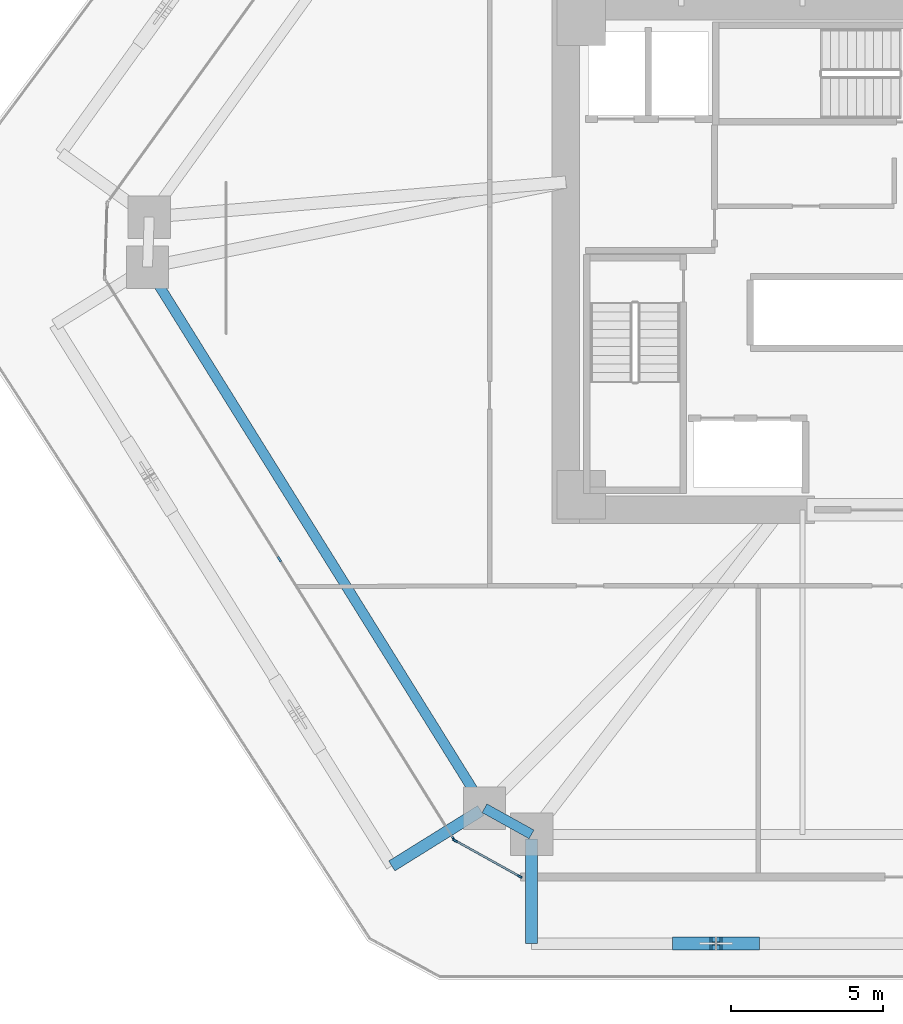
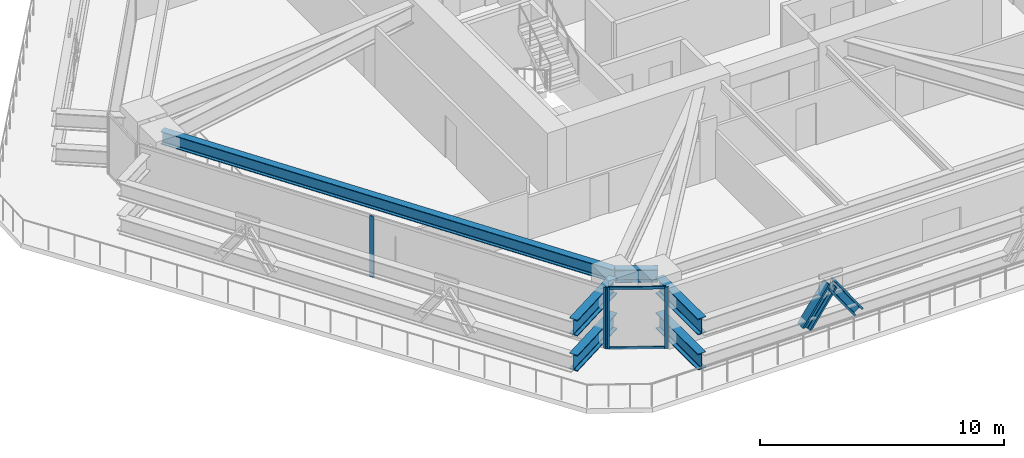
# One storey, part 2 of 20: 8 members, 6 beams, 2 elements without a shape of their own.
"""IFC4 building model written with IfcOpenShell, lengths in metres."""

from ifc_helpers import new_model, si_unit, direction, frame, origin, origin_2d, place, context, subcontext, project, spatial, rectangle, i_section, extrude, source, transform, mapped, material, layer, layer_set, material_profile, profile_set, type_object, type_shapes, element, aggregate, save


model = new_model("IFC4")

# Units and contexts
model_context = context("Model", 3, precision=1e-05, world=origin(), true_north=direction((0.0, 1.0)))
body_context = subcontext(model_context, "Body", "Model", "MODEL_VIEW")
ifc_project = project(units=[si_unit("LENGTHUNIT", "METRE"), si_unit("AREAUNIT", "SQUARE_METRE"), si_unit("VOLUMEUNIT", "CUBIC_METRE"), si_unit("PLANEANGLEUNIT", "RADIAN"), si_unit("MASSUNIT", "GRAM", prefix="KILO")], contexts=[model_context])

# Site, building, storey
site_placement = place(None, origin())
site = spatial("IfcSite", under=ifc_project, at=site_placement, CompositionType="ELEMENT")
building_placement = place(site_placement, origin())
building = spatial("IfcBuilding", under=site, at=building_placement, Name="Durnholm Broadcast Tower", CompositionType="ELEMENT")
storey_placement = place(building_placement, frame((0.0, 0.0, 32.39990234375)))
storey = spatial("IfcBuildingStorey", under=building, at=storey_placement, Name="L06", CompositionType="ELEMENT", Elevation=32.39990234375)

# Beams
ifc_material_1 = material(Name="Steel ASTM A992 Grade 50", Category="steel")
ifc_material_profile_1 = material_profile(ifc_material_1, i_section(OverallWidth=0.3291015625, OverallDepth=0.635009765625, WebThickness=0.017822265625, FlangeThickness=0.031005859375, FilletRadius=0.02783203125, at=origin_2d()), Name="W24X162")
ifc_profile_set_1 = profile_set([ifc_material_profile_1], Name="Steel ASTM A992 Grade 50")
beam_type_1 = type_object("IfcBeamType", Name="STL-SP-W24X162", PredefinedType="SPANDREL", material=ifc_profile_set_1)
shared_shape_1 = source(origin(), body_context, "Body", "SweptSolid", [
    extrude(i_section(OverallWidth=0.3291015625, OverallDepth=0.635009765625, WebThickness=0.017822265625, FlangeThickness=0.031005859375, FilletRadius=0.02783203125, at=origin_2d()), origin(), (0.0, 0.0, 1.0), 21.014404296875),
])
beam_1_placement = place(storey_placement, frame((-12.982666015625, -18.138427734375, 2.7275390625), z_axis=(-0.528595731543, 0.848873696491, 0.0), x_axis=(-0.848873696491, -0.528595731543, 0.0)))
element("IfcBeam", 1, at=beam_1_placement, inside=storey, type_object=beam_type_1, Name="L06 perimeter spandrel girder 01", PredefinedType="SPANDREL", context=body_context, shape_type="MappedRepresentation", body=[
    mapped(shared_shape_1, transform((0.0, 0.0, 0.0), x_axis=(1.0, 0.0, 0.0), y_axis=(0.0, 1.0, 0.0), z_axis=(0.0, 0.0, 1.0), scale=1.0)),
])
shared_shape_2 = source(origin(), body_context, "Body", "SweptSolid", [
    extrude(i_section(OverallWidth=0.3291015625, OverallDepth=0.635009765625, WebThickness=0.017822265625, FlangeThickness=0.031005859375, FilletRadius=0.02783203125, at=origin_2d()), origin(), (0.0, 0.0, 1.0), 1.774658203125),
])
type_shapes(beam_type_1, [shared_shape_1, shared_shape_2])
beam_2_placement = place(storey_placement, frame((-11.43115234375, -19.0, 2.7275390625), z_axis=(-0.874248107979, 0.485479397806, 0.0), x_axis=(-0.485479397806, -0.874248107979, 0.0)))
element("IfcBeam", 2, at=beam_2_placement, inside=storey, type_object=beam_type_1, Name="L06 perimeter spandrel girder 12", PredefinedType="SPANDREL", context=body_context, shape_type="MappedRepresentation", body=[
    mapped(shared_shape_2, transform((0.0, 0.0, 0.0), x_axis=(1.0, 0.0, 0.0), y_axis=(0.0, 1.0, 0.0), z_axis=(0.0, 0.0, 1.0), scale=1.0)),
])
ifc_material_profile_2 = material_profile(ifc_material_1, i_section(OverallWidth=0.385009765625, OverallDepth=0.802978515625, WebThickness=0.023681640625, FlangeThickness=0.0419921875, FilletRadius=0.032958984375, at=origin_2d()), Name="W30X261")
ifc_profile_set_2 = profile_set([ifc_material_profile_2], Name="Steel ASTM A992 Grade 50")
beam_type_2 = type_object("IfcBeamType", Name="BM-EXO-TIE", PredefinedType="USERDEFINED", material=ifc_profile_set_2)
shared_shape_3 = source(origin(), body_context, "Body", "SweptSolid", [
    extrude(i_section(OverallWidth=0.385009765625, OverallDepth=0.802978515625, WebThickness=0.023681640625, FlangeThickness=0.0419921875, FilletRadius=0.032958984375, at=origin_2d()), origin(), (0.0, 0.0, 1.0), 3.4560546875),
])
type_shapes(beam_type_2, [shared_shape_3])
for number, where, z_axis, x_axis, name in (
    (3, (-11.43115234375, -19.14404296875, 0.550048828125), (0.0, -1.0, 0.0), (1.0, 0.0, 0.0), "L06 zone-base exoskeleton stand-off tie bracket F1.1"),
    (4, (-11.43115234375, -19.14404296875, 2.30859375), (0.0, -1.0, 0.0), (1.0, 0.0, 0.0), "L06 exoskeleton stand-off tie bracket F1.1"),
    (5, (-13.10498046875, -18.214599609375, 0.550048828125), (-0.848854443891, -0.528626648105, 0.0), (0.528626648105, -0.848854443891, 0.0), "L06 zone-base exoskeleton stand-off tie bracket F6.2"),
    (6, (-13.10498046875, -18.214599609375, 2.30859375), (-0.848854443891, -0.528626648105, 0.0), (0.528626648105, -0.848854443891, 0.0), "L06 exoskeleton stand-off tie bracket F6.2"),
):
    element("IfcBeam", number, at=place(storey_placement, frame(where, z_axis=z_axis, x_axis=x_axis)), inside=storey, type_object=beam_type_2, Name=name, ObjectType="GIRDER", PredefinedType="USERDEFINED", context=body_context, shape_type="MappedRepresentation", body=[
        mapped(shared_shape_3, transform((0.0, 0.0, 0.0), x_axis=(1.0, 0.0, 0.0), y_axis=(0.0, 1.0, 0.0), z_axis=(0.0, 0.0, 1.0), scale=1.0)),
    ])

# Members
ifc_material_2 = material(Name="Steel ASTM A913 Grade 65", Category="steel")
ifc_material_profile_3 = material_profile(ifc_material_2, i_section(OverallWidth=0.43212890625, OverallDepth=0.497802734375, WebThickness=0.0556640625, FlangeThickness=0.0888671875, FilletRadius=0.030517578125, at=origin_2d()), Name="W14X500")
ifc_profile_set_3 = profile_set([ifc_material_profile_3], Name="Steel ASTM A913 Grade 65")
member_type_1 = type_object("IfcMemberType", Name="STL-DG-W14X500", PredefinedType="BRACE", material=ifc_profile_set_3)
shared_shape_4 = source(origin(), body_context, "Body", "SweptSolid", [
    extrude(i_section(OverallWidth=0.43212890625, OverallDepth=0.497802734375, WebThickness=0.0556640625, FlangeThickness=0.0888671875, FilletRadius=0.030517578125, at=origin_2d()), origin(), (0.0, 0.0, 1.0), 2.148193359375),
])
type_shapes(member_type_1, [shared_shape_4])
for number, where, z_axis, x_axis, name in (
    (7, (-6.585205078125, -22.60009765625, 0.550048828125), (0.574369639306, 0.0, 0.818596064884), (0.0, 1.0, 0.0), "L06 stand-off diagrid brace F1.D1.1"),
    (8, (-4.117431640625, -22.60009765625, 0.550048828125), (-0.574369639306, 0.0, 0.818596064884), (0.0, -1.0, 0.0), "L06 stand-off diagrid brace F1.D1.2"),
):
    element("IfcMember", number, at=place(storey_placement, frame(where, z_axis=z_axis, x_axis=x_axis)), inside=storey, type_object=member_type_1, Name=name, PredefinedType="BRACE", context=body_context, shape_type="MappedRepresentation", body=[
        mapped(shared_shape_4, transform((0.0, 0.0, 0.0), x_axis=(1.0, 0.0, 0.0), y_axis=(0.0, 1.0, 0.0), z_axis=(0.0, 0.0, 1.0), scale=1.0)),
    ])

# Curtain wall, members
ifc_material_3 = material(Name="Aluminium and Solar Control IGU", Category="aluminium")
ifc_layer_1 = layer(ifc_material_3, 0.1650390625)
ifc_layer_set_1 = layer_set([ifc_layer_1], Name="Aluminium and Solar Control IGU")
curtain_wall_type_1 = type_object("IfcCurtainWallType", Name="CW-SYS-5", PredefinedType="NOTDEFINED", material=ifc_layer_set_1)
curtain_wall_1_placement = place(storey_placement, origin())
curtain_wall_1 = element("IfcCurtainWall", 9, at=curtain_wall_1_placement, inside=storey, type_object=curtain_wall_type_1, Name="L06 curtain wall CW-CORNER CW-L06-CRN-11", PredefinedType="NOTDEFINED")
ifc_material_4 = material(Name="Aluminium 6063-T6", Category="aluminium")
ifc_material_profile_4 = material_profile(ifc_material_4, rectangle(XDim=0.06494140625, YDim=0.1650390625, at=origin_2d()), Name="CWM65X165")
ifc_profile_set_4 = profile_set([ifc_material_profile_4], Name="Aluminium 6063-T6")
member_type_2 = type_object("IfcMemberType", Name="CW-SYS-5-MUL", PredefinedType="MULLION", material=ifc_profile_set_4)
shared_shape_5 = source(origin(), body_context, "Body", "SweptSolid", [
    extrude(rectangle(XDim=0.06494140625, YDim=0.1650390625, at=origin_2d()), origin(), (0.0, 0.0, 1.0), 3.06005859375),
])
type_shapes(member_type_2, [shared_shape_5])
member_1_placement = place(storey_placement, frame((-11.822265625, -20.38427734375, 0.0), z_axis=(0.0, 0.0, 1.0), x_axis=(-0.485483299359, -0.874245941394, 0.0)))
member_1 = element("IfcMember", 10, at=member_1_placement, type_object=member_type_2, Name="CW-CORNER mullion 1", PredefinedType="MULLION", context=body_context, shape_type="MappedRepresentation", body=[
    mapped(shared_shape_5, transform((0.0, 0.0, 0.0), x_axis=(1.0, 0.0, 0.0), y_axis=(0.0, 1.0, 0.0), z_axis=(0.0, 0.0, 1.0), scale=1.0)),
])
member_2_placement = place(storey_placement, frame((-13.950927734375, -19.2021484375, 0.0), z_axis=(0.0, 0.0, 1.0), x_axis=(-0.485483299359, -0.874245941394, 0.0)))
member_2 = element("IfcMember", 11, at=member_2_placement, type_object=member_type_2, Name="CW-CORNER mullion 2", PredefinedType="MULLION", context=body_context, shape_type="MappedRepresentation", body=[
    mapped(shared_shape_5, transform((0.0, 0.0, 0.0), x_axis=(1.0, 0.0, 0.0), y_axis=(0.0, 1.0, 0.0), z_axis=(0.0, 0.0, 1.0), scale=1.0)),
])
ifc_material_profile_5 = material_profile(ifc_material_4, rectangle(XDim=0.06494140625, YDim=0.1298828125, at=origin_2d()), Name="CWT65X130")
ifc_profile_set_5 = profile_set([ifc_material_profile_5], Name="Aluminium 6063-T6")
member_type_3 = type_object("IfcMemberType", Name="CW-SYS-5-TRN", PredefinedType="USERDEFINED", material=ifc_profile_set_5)
shared_shape_6 = source(origin(), body_context, "Body", "SweptSolid", [
    extrude(rectangle(XDim=0.06494140625, YDim=0.1298828125, at=origin_2d()), origin(), (0.0, 0.0, 1.0), 2.3701171875),
])
type_shapes(member_type_3, [shared_shape_6])
member_3_placement = place(storey_placement, frame((-11.8505859375, -20.368408203125, 0.03271484375), z_axis=(-0.874244723151, 0.485485493132, 0.0), x_axis=(-0.485485493132, -0.874244723151, 0.0)))
member_3 = element("IfcMember", 12, at=member_3_placement, type_object=member_type_3, Name="CW-CORNER transom 1.1", ObjectType="TRANSOM", PredefinedType="USERDEFINED", context=body_context, shape_type="MappedRepresentation", body=[
    mapped(shared_shape_6, transform((0.0, 0.0, 0.0), x_axis=(1.0, 0.0, 0.0), y_axis=(0.0, 1.0, 0.0), z_axis=(0.0, 0.0, 1.0), scale=1.0)),
])
member_4_placement = place(storey_placement, frame((-11.8505859375, -20.368408203125, 3.027587890625), z_axis=(-0.874244723151, 0.485485493132, 0.0), x_axis=(-0.485485493132, -0.874244723151, 0.0)))
member_4 = element("IfcMember", 13, at=member_4_placement, type_object=member_type_3, Name="CW-CORNER transom 1.2", ObjectType="TRANSOM", PredefinedType="USERDEFINED", context=body_context, shape_type="MappedRepresentation", body=[
    mapped(shared_shape_6, transform((0.0, 0.0, 0.0), x_axis=(1.0, 0.0, 0.0), y_axis=(0.0, 1.0, 0.0), z_axis=(0.0, 0.0, 1.0), scale=1.0)),
])
aggregate(curtain_wall_1, [member_1, member_2, member_3, member_4])

ifc_layer_2 = layer(ifc_material_3, 0.18994140625)
ifc_layer_set_2 = layer_set([ifc_layer_2], Name="Aluminium and Solar Control IGU")
curtain_wall_type_2 = type_object("IfcCurtainWallType", Name="CW-SYS-3", PredefinedType="NOTDEFINED", material=ifc_layer_set_2)
curtain_wall_2_placement = place(storey_placement, origin())
curtain_wall_2 = element("IfcCurtainWall", 14, at=curtain_wall_2_placement, inside=storey, type_object=curtain_wall_type_2, Name="L06 curtain wall CW-Z12-VIS CW-L06-F12", PredefinedType="NOTDEFINED")
ifc_material_profile_6 = material_profile(ifc_material_4, rectangle(XDim=0.070068359375, YDim=0.18994140625, at=origin_2d()), Name="CWM70X190")
ifc_profile_set_6 = profile_set([ifc_material_profile_6], Name="Aluminium 6063-T6")
member_type_4 = type_object("IfcMemberType", Name="CW-SYS-3-MUL", PredefinedType="MULLION", material=ifc_profile_set_6)
shared_shape_7 = source(origin(), body_context, "Body", "SweptSolid", [
    extrude(rectangle(XDim=0.070068359375, YDim=0.18994140625, at=origin_2d()), origin(), (0.0, 0.0, 1.0), 3.06005859375),
])
type_shapes(member_type_4, [shared_shape_7])
member_5_placement = place(storey_placement, frame((-13.997802734375, -19.156494140625, 0.0), z_axis=(0.0, 0.0, 1.0), x_axis=(-0.848875785503, -0.528592376777, 0.0)))
member_5 = element("IfcMember", 15, at=member_5_placement, type_object=member_type_4, Name="CW-Z12-VIS mullion 1", PredefinedType="MULLION", context=body_context, shape_type="MappedRepresentation", body=[
    mapped(shared_shape_7, transform((0.0, 0.0, 0.0), x_axis=(1.0, 0.0, 0.0), y_axis=(0.0, 1.0, 0.0), z_axis=(0.0, 0.0, 1.0), scale=1.0)),
])
member_6_placement = place(storey_placement, frame((-19.741943359375, -9.93212890625, 0.0), z_axis=(0.0, 0.0, 1.0), x_axis=(-0.848875785503, -0.528592376777, 0.0)))
member_6 = element("IfcMember", 16, at=member_6_placement, type_object=member_type_4, Name="CW-Z12-VIS mullion 2", PredefinedType="MULLION", context=body_context, shape_type="MappedRepresentation", body=[
    mapped(shared_shape_7, transform((0.0, 0.0, 0.0), x_axis=(1.0, 0.0, 0.0), y_axis=(0.0, 1.0, 0.0), z_axis=(0.0, 0.0, 1.0), scale=1.0)),
])
aggregate(curtain_wall_2, [member_5, member_6])

save(model, "model.ifc")
